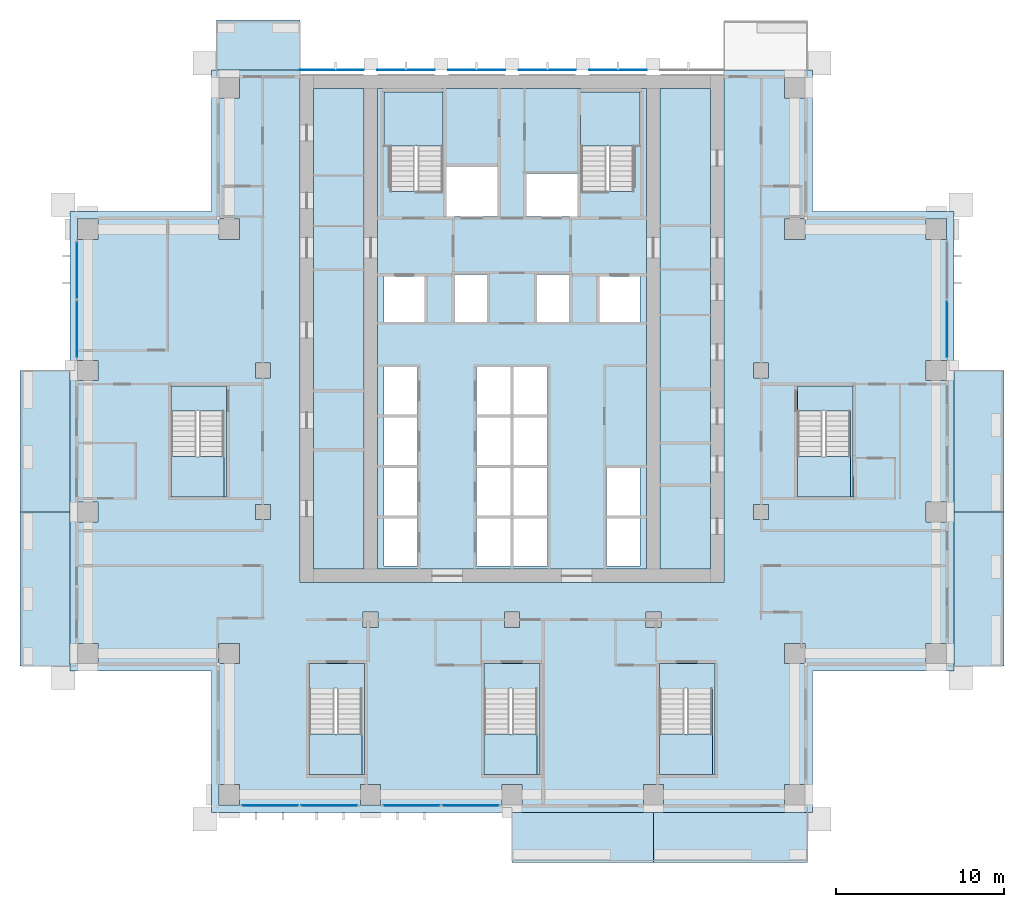
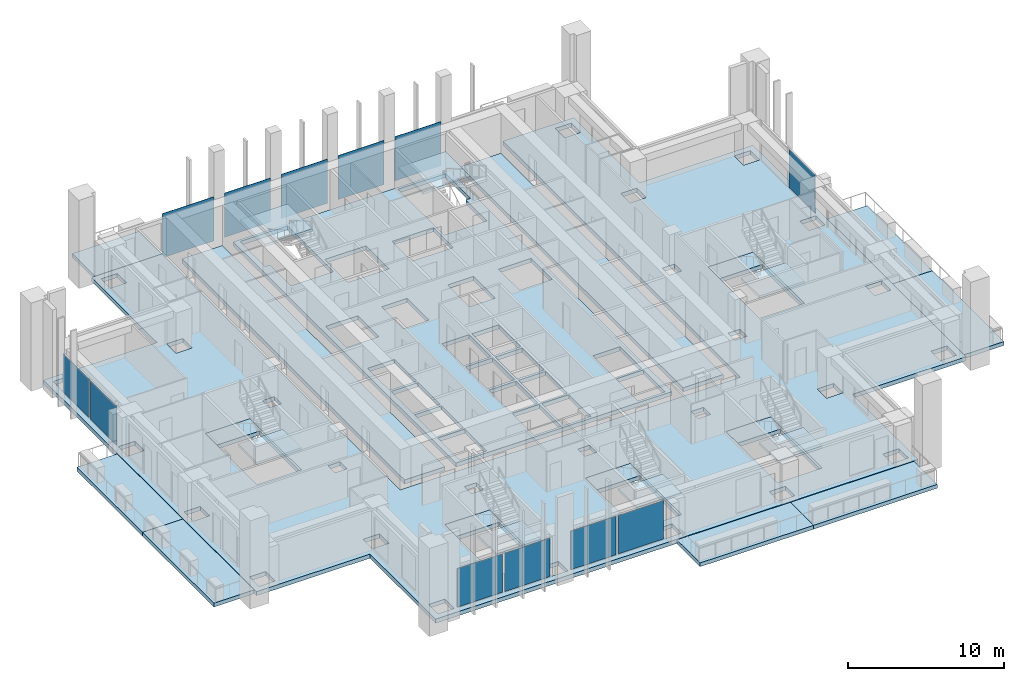
# One storey, part 7 of 19: 23 slabs, 12 plates, 11 elements without a shape of their own.
"""IFC4 building model written with IfcOpenShell, lengths in metres."""

from ifc_helpers import new_model, si_unit, direction, frame, origin, origin_2d, place, context, subcontext, project, spatial, polyline, rectangle, outline, extrude, material, layer, layer_set, type_object, element, aggregate, save


model = new_model("IFC4")

# Units and contexts
model_context = context("Model", 3, precision=1e-05, world=origin(), true_north=direction((0.0, 1.0)))
body_context = subcontext(model_context, "Body", "Model", "MODEL_VIEW")
ifc_project = project(units=[si_unit("LENGTHUNIT", "METRE"), si_unit("AREAUNIT", "SQUARE_METRE"), si_unit("VOLUMEUNIT", "CUBIC_METRE"), si_unit("PLANEANGLEUNIT", "RADIAN"), si_unit("MASSUNIT", "GRAM", prefix="KILO")], contexts=[model_context])

# Site, building, storey
site_placement = place(None, origin())
site = spatial("IfcSite", under=ifc_project, at=site_placement, CompositionType="ELEMENT")
building_placement = place(site_placement, origin())
building = spatial("IfcBuilding", under=site, at=building_placement, Name="Vermilion Ogive Tower", CompositionType="ELEMENT")
storey_placement = place(building_placement, frame((0.0, 0.0, 104.550048828125)))
storey = spatial("IfcBuildingStorey", under=building, at=storey_placement, Name="L26", CompositionType="ELEMENT", Elevation=104.550048828125)

# Slabs
ifc_material_1 = material(Name="Concrete B40", Category="concrete")
ifc_layer_1 = layer(ifc_material_1, 0.300048828125)
ifc_layer_set_1 = layer_set([ifc_layer_1], Name="Balcony slab")
slab_type_1 = type_object("IfcSlabType", Name="Balcony slab", PredefinedType="FLOOR", material=ifc_layer_set_1)
slab_1_placement = place(storey_placement, frame((0.0, 0.0, -0.340087890625)))
element("IfcSlab", 1, at=slab_1_placement, inside=storey, type_object=slab_type_1, Name="Balcony slab S03", PredefinedType="FLOOR", context=body_context, shape_type="SweptSolid", body=[
    extrude(outline(polyline([(0.0, -25.030029296875), (8.39990234375, -25.030029296875), (8.39990234375, -22.050048828125), (0.0, -22.050048828125), (0.0, -25.030029296875)])), origin(), (0.0, 0.0, 1.0), 0.300048828125),
])
slab_2_placement = place(storey_placement, frame((0.0, 0.0, -0.340087890625)))
element("IfcSlab", 2, at=slab_2_placement, inside=storey, type_object=slab_type_1, Name="Balcony slab S04", PredefinedType="FLOOR", context=body_context, shape_type="SweptSolid", body=[
    extrude(outline(polyline([(8.39990234375, -25.030029296875), (17.550048828125, -25.030029296875), (17.550048828125, -22.050048828125), (8.39990234375, -22.050048828125), (8.39990234375, -25.030029296875)])), origin(), (0.0, 0.0, 1.0), 0.300048828125),
])
slab_3_placement = place(storey_placement, frame((0.0, 0.0, -0.340087890625)))
element("IfcSlab", 3, at=slab_3_placement, inside=storey, type_object=slab_type_1, Name="Balcony slab E01", PredefinedType="FLOOR", context=body_context, shape_type="SweptSolid", body=[
    extrude(outline(polyline([(29.22998046875, -13.35009765625), (29.22998046875, -4.199951171875), (26.25, -4.199951171875), (26.25, -13.35009765625), (29.22998046875, -13.35009765625)])), origin(), (0.0, 0.0, 1.0), 0.300048828125),
])
slab_4_placement = place(storey_placement, frame((0.0, 0.0, -0.340087890625)))
element("IfcSlab", 4, at=slab_4_placement, inside=storey, type_object=slab_type_1, Name="Balcony slab E02", PredefinedType="FLOOR", context=body_context, shape_type="SweptSolid", body=[
    extrude(outline(polyline([(29.22998046875, -4.199951171875), (29.22998046875, 4.199951171875), (26.25, 4.199951171875), (26.25, -4.199951171875), (29.22998046875, -4.199951171875)])), origin(), (0.0, 0.0, 1.0), 0.300048828125),
])
slab_5_placement = place(storey_placement, frame((0.0, 0.0, -0.340087890625)))
element("IfcSlab", 5, at=slab_5_placement, inside=storey, type_object=slab_type_1, Name="Balcony slab N201", PredefinedType="FLOOR", context=body_context, shape_type="SweptSolid", body=[
    extrude(outline(polyline([(-12.60009765625, 25.030029296875), (-17.550048828125, 25.030029296875), (-17.550048828125, 22.050048828125), (-12.60009765625, 22.050048828125), (-12.60009765625, 25.030029296875)])), origin(), (0.0, 0.0, 1.0), 0.300048828125),
])
slab_6_placement = place(storey_placement, frame((0.0, 0.0, -0.340087890625)))
element("IfcSlab", 6, at=slab_6_placement, inside=storey, type_object=slab_type_1, Name="Balcony slab W02", PredefinedType="FLOOR", context=body_context, shape_type="SweptSolid", body=[
    extrude(outline(polyline([(-29.22998046875, 4.199951171875), (-29.22998046875, -4.199951171875), (-26.25, -4.199951171875), (-26.25, 4.199951171875), (-29.22998046875, 4.199951171875)])), origin(), (0.0, 0.0, 1.0), 0.300048828125),
])
slab_7_placement = place(storey_placement, frame((0.0, 0.0, -0.340087890625)))
element("IfcSlab", 7, at=slab_7_placement, inside=storey, type_object=slab_type_1, Name="Balcony slab W03", PredefinedType="FLOOR", context=body_context, shape_type="SweptSolid", body=[
    extrude(outline(polyline([(-29.22998046875, -4.199951171875), (-29.22998046875, -13.35009765625), (-26.25, -13.35009765625), (-26.25, -4.199951171875), (-29.22998046875, -4.199951171875)])), origin(), (0.0, 0.0, 1.0), 0.300048828125),
])

# Curtain wall, plates
ifc_material_2 = material(Name="Low-iron laminated glazing in aluminium frame", Category="aluminium")
curtain_wall_type = type_object("IfcCurtainWallType", Name="Curtain wall CW7", PredefinedType="NOTDEFINED", material=ifc_material_2)
curtain_wall_1_placement = place(storey_placement, origin())
curtain_wall_1 = element("IfcCurtainWall", 8, at=curtain_wall_1_placement, inside=storey, type_object=curtain_wall_type, Name="Glazed skin S1", PredefinedType="NOTDEFINED")
ifc_material_3 = material(Name="Low-iron laminated glazing in aluminium frame", Category="aluminium")
ifc_layer_2 = layer(ifc_material_3, 0.031982421875)
ifc_layer_set_2 = layer_set([ifc_layer_2], Name="CW7 glazing panel 32")
plate_type_1 = type_object("IfcPlateType", Name="CW7 glazing panel 32", PredefinedType="CURTAIN_PANEL", material=ifc_layer_set_2)
plate_1_placement = place(storey_placement, frame((-14.35498046875, -21.64990234375, 0.06005859375), z_axis=(0.0, 0.0, 1.0), x_axis=(1.0, 0.0, 0.0)))
plate_1 = element("IfcPlate", 9, at=plate_1_placement, type_object=plate_type_1, Name="CW7-S1 panel 1.1", PredefinedType="CURTAIN_PANEL", context=body_context, shape_type="SweptSolid", body=[
    extrude(rectangle(XDim=3.330078125, YDim=0.031982421875, at=origin_2d()), origin(), (0.0, 0.0, 1.0), 3.010009765625),
])
plate_2_placement = place(storey_placement, frame((-10.844970703125, -21.64990234375, 0.06005859375), z_axis=(0.0, 0.0, 1.0), x_axis=(1.0, 0.0, 0.0)))
plate_2 = element("IfcPlate", 10, at=plate_2_placement, type_object=plate_type_1, Name="CW7-S1 panel 2.1", PredefinedType="CURTAIN_PANEL", context=body_context, shape_type="SweptSolid", body=[
    extrude(rectangle(XDim=3.330078125, YDim=0.031982421875, at=origin_2d()), origin(), (0.0, 0.0, 1.0), 3.010009765625),
])
aggregate(curtain_wall_1, [plate_1, plate_2])

curtain_wall_2_placement = place(storey_placement, origin())
curtain_wall_2 = element("IfcCurtainWall", 11, at=curtain_wall_2_placement, inside=storey, type_object=curtain_wall_type, Name="Glazed skin S2", PredefinedType="NOTDEFINED")
plate_3_placement = place(storey_placement, frame((-5.955078125, -21.64990234375, 0.06005859375), z_axis=(0.0, 0.0, 1.0), x_axis=(1.0, 0.0, 0.0)))
plate_3 = element("IfcPlate", 12, at=plate_3_placement, type_object=plate_type_1, Name="CW7-S2 panel 1.1", PredefinedType="CURTAIN_PANEL", context=body_context, shape_type="SweptSolid", body=[
    extrude(rectangle(XDim=3.330078125, YDim=0.031982421875, at=origin_2d()), origin(), (0.0, 0.0, 1.0), 3.010009765625),
])
plate_4_placement = place(storey_placement, frame((-2.445068359375, -21.64990234375, 0.06005859375), z_axis=(0.0, 0.0, 1.0), x_axis=(1.0, 0.0, 0.0)))
plate_4 = element("IfcPlate", 13, at=plate_4_placement, type_object=plate_type_1, Name="CW7-S2 panel 2.1", PredefinedType="CURTAIN_PANEL", context=body_context, shape_type="SweptSolid", body=[
    extrude(rectangle(XDim=3.330078125, YDim=0.031982421875, at=origin_2d()), origin(), (0.0, 0.0, 1.0), 3.010009765625),
])
aggregate(curtain_wall_2, [plate_3, plate_4])

# Curtain wall, plate
curtain_wall_3_placement = place(storey_placement, origin())
curtain_wall_3 = element("IfcCurtainWall", 14, at=curtain_wall_3_placement, inside=storey, type_object=curtain_wall_type, Name="Glazed skin E3", PredefinedType="NOTDEFINED")
plate_5_placement = place(storey_placement, frame((25.85009765625, 6.64501953125, 0.06005859375), z_axis=(0.0, 0.0, 1.0), x_axis=(0.0, 1.0, 0.0)))
plate_5 = element("IfcPlate", 15, at=plate_5_placement, type_object=plate_type_1, Name="CW7-E3 panel 1.1", PredefinedType="CURTAIN_PANEL", context=body_context, shape_type="SweptSolid", body=[
    extrude(rectangle(XDim=3.330078125, YDim=0.031982421875, at=origin_2d()), origin(), (0.0, 0.0, 1.0), 3.010009765625),
])
aggregate(curtain_wall_3, [plate_5])

# Curtain wall, plates
curtain_wall_4_placement = place(storey_placement, origin())
curtain_wall_4 = element("IfcCurtainWall", 16, at=curtain_wall_4_placement, inside=storey, type_object=curtain_wall_type, Name="Glazed skin W1", PredefinedType="NOTDEFINED")
plate_6_placement = place(storey_placement, frame((-25.85009765625, 10.155029296875, 0.06005859375), z_axis=(0.0, 0.0, 1.0), x_axis=(0.0, -1.0, 0.0)))
plate_6 = element("IfcPlate", 17, at=plate_6_placement, type_object=plate_type_1, Name="CW7-W1 panel 1.1", PredefinedType="CURTAIN_PANEL", context=body_context, shape_type="SweptSolid", body=[
    extrude(rectangle(XDim=3.330078125, YDim=0.031982421875, at=origin_2d()), origin(), (0.0, 0.0, 1.0), 3.010009765625),
])
plate_7_placement = place(storey_placement, frame((-25.85009765625, 6.64501953125, 0.06005859375), z_axis=(0.0, 0.0, 1.0), x_axis=(0.0, -1.0, 0.0)))
plate_7 = element("IfcPlate", 18, at=plate_7_placement, type_object=plate_type_1, Name="CW7-W1 panel 2.1", PredefinedType="CURTAIN_PANEL", context=body_context, shape_type="SweptSolid", body=[
    extrude(rectangle(XDim=3.330078125, YDim=0.031982421875, at=origin_2d()), origin(), (0.0, 0.0, 1.0), 3.010009765625),
])
aggregate(curtain_wall_4, [plate_6, plate_7])

# Slabs
ifc_material_4 = material(Name="Concrete B40", Category="concrete")
ifc_layer_3 = layer(ifc_material_4, 0.320068359375)
ifc_layer_set_3 = layer_set([ifc_layer_3], Name="Core floor slab 320 B40")
slab_type_2 = type_object("IfcSlabType", Name="Core floor slab 320 B40", PredefinedType="FLOOR", material=ifc_layer_set_3)
slab_8_placement = place(storey_placement, frame((0.0, 0.0, -0.320068359375)))
element("IfcSlab", 19, at=slab_8_placement, inside=storey, type_object=slab_type_2, Name="L26-CK-FS1", PredefinedType="FLOOR", context=body_context, shape_type="SweptSolid", body=[
    extrude(outline(polyline([(-8.803955078125, 20.946044921875), (-8.803955078125, -7.595947265625), (-11.7958984375, -7.595947265625), (-11.7958984375, 20.946044921875), (-8.803955078125, 20.946044921875)])), origin(), (0.0, 0.0, 1.0), 0.320068359375),
])
slab_9_placement = place(storey_placement, frame((0.0, 0.0, -0.320068359375)))
element("IfcSlab", 20, at=slab_9_placement, inside=storey, type_object=slab_type_2, Name="L26-CK-FS2", PredefinedType="FLOOR", context=body_context, shape_type="SweptSolid", body=[
    extrude(outline(polyline([(-7.99609375, 20.946044921875), (-7.99609375, -7.595947265625), (7.99609375, -7.595947265625), (7.99609375, 20.946044921875), (-7.99609375, 20.946044921875)]), holes=[polyline([(-7.60009765625, -4.60009765625), (-5.60009765625, -4.60009765625), (-5.60009765625, -7.39990234375), (-7.60009765625, -7.39990234375), (-7.60009765625, -4.60009765625)]), polyline([(-2.10009765625, -4.60009765625), (-0.10009765625, -4.60009765625), (-0.10009765625, -7.39990234375), (-2.10009765625, -7.39990234375), (-2.10009765625, -4.60009765625)]), polyline([(-7.60009765625, -4.39990234375), (-7.60009765625, -1.60009765625), (-5.60009765625, -1.60009765625), (-5.60009765625, -4.39990234375), (-7.60009765625, -4.39990234375)]), polyline([(-2.10009765625, -1.60009765625), (-0.10009765625, -1.60009765625), (-0.10009765625, -4.39990234375), (-2.10009765625, -4.39990234375), (-2.10009765625, -1.60009765625)]), polyline([(-7.60009765625, -1.39990234375), (-7.60009765625, 1.39990234375), (-5.60009765625, 1.39990234375), (-5.60009765625, -1.39990234375), (-7.60009765625, -1.39990234375)]), polyline([(-2.10009765625, 1.39990234375), (-0.10009765625, 1.39990234375), (-0.10009765625, -1.39990234375), (-2.10009765625, -1.39990234375), (-2.10009765625, 1.39990234375)]), polyline([(-7.60009765625, 4.39990234375), (-5.60009765625, 4.39990234375), (-5.60009765625, 1.60009765625), (-7.60009765625, 1.60009765625), (-7.60009765625, 4.39990234375)]), polyline([(-2.10009765625, 4.39990234375), (-0.10009765625, 4.39990234375), (-0.10009765625, 1.60009765625), (-2.10009765625, 1.60009765625), (-2.10009765625, 4.39990234375)]), polyline([(-7.60009765625, 9.800048828125), (-5.199951171875, 9.800048828125), (-5.199951171875, 7.10009765625), (-7.60009765625, 7.10009765625), (-7.60009765625, 9.800048828125)]), polyline([(-3.39990234375, 9.89990234375), (-1.5, 9.89990234375), (-1.5, 7.10009765625), (-3.39990234375, 7.10009765625), (-3.39990234375, 9.89990234375)]), polyline([(-3.89990234375, 16.300048828125), (-0.85009765625, 16.300048828125), (-0.85009765625, 13.35009765625), (-3.89990234375, 13.35009765625), (-3.89990234375, 16.300048828125)]), polyline([(-7.60009765625, 17.550048828125), (-7.60009765625, 20.75), (-4.10009765625, 20.75), (-4.10009765625, 14.85205078125), (-5.60009765625, 14.85205078125), (-5.60009765625, 14.85009765625), (-5.75, 14.85009765625), (-5.75, 14.85205078125), (-7.25, 14.85205078125), (-7.25, 17.550048828125), (-7.60009765625, 17.550048828125)]), polyline([(0.10009765625, -4.60009765625), (2.10009765625, -4.60009765625), (2.10009765625, -7.39990234375), (0.10009765625, -7.39990234375), (0.10009765625, -4.60009765625)]), polyline([(5.60009765625, -4.60009765625), (7.60009765625, -4.60009765625), (7.60009765625, -7.39990234375), (5.60009765625, -7.39990234375), (5.60009765625, -4.60009765625)]), polyline([(0.10009765625, -1.60009765625), (2.10009765625, -1.60009765625), (2.10009765625, -4.39990234375), (0.10009765625, -4.39990234375), (0.10009765625, -1.60009765625)]), polyline([(5.60009765625, -1.60009765625), (7.60009765625, -1.60009765625), (7.60009765625, -4.39990234375), (5.60009765625, -4.39990234375), (5.60009765625, -1.60009765625)]), polyline([(0.10009765625, 1.39990234375), (2.10009765625, 1.39990234375), (2.10009765625, -1.39990234375), (0.10009765625, -1.39990234375), (0.10009765625, 1.39990234375)]), polyline([(0.10009765625, 4.39990234375), (2.10009765625, 4.39990234375), (2.10009765625, 1.60009765625), (0.10009765625, 1.60009765625), (0.10009765625, 4.39990234375)]), polyline([(5.199951171875, 9.800048828125), (7.60009765625, 9.800048828125), (7.60009765625, 7.10009765625), (5.199951171875, 7.10009765625), (5.199951171875, 9.800048828125)]), polyline([(1.5, 9.89990234375), (3.39990234375, 9.89990234375), (3.39990234375, 7.10009765625), (1.5, 7.10009765625), (1.5, 9.89990234375)]), polyline([(0.85009765625, 15.89990234375), (3.89990234375, 15.89990234375), (3.89990234375, 13.35009765625), (0.85009765625, 13.35009765625), (0.85009765625, 15.89990234375)]), polyline([(5.75, 14.85009765625), (5.60009765625, 14.85009765625), (5.60009765625, 14.85205078125), (4.10009765625, 14.85205078125), (4.10009765625, 17.550048828125), (4.074951171875, 17.550048828125), (4.074951171875, 20.75), (7.60009765625, 20.75), (7.60009765625, 17.550048828125), (7.25, 17.550048828125), (7.25, 14.85205078125), (5.75, 14.85205078125), (5.75, 14.85009765625)])]), origin(), (0.0, 0.0, 1.0), 0.320068359375),
])
slab_10_placement = place(storey_placement, frame((0.0, 0.0, -0.320068359375)))
element("IfcSlab", 21, at=slab_10_placement, inside=storey, type_object=slab_type_2, Name="L26-CK-FS3", PredefinedType="FLOOR", context=body_context, shape_type="SweptSolid", body=[
    extrude(outline(polyline([(11.7958984375, -7.595947265625), (8.803955078125, -7.595947265625), (8.803955078125, 20.946044921875), (11.7958984375, 20.946044921875), (11.7958984375, -7.595947265625)])), origin(), (0.0, 0.0, 1.0), 0.320068359375),
])
slab_11_placement = place(storey_placement, frame((0.0, 0.0, -0.320068359375)))
element("IfcSlab", 22, at=slab_11_placement, inside=storey, type_object=slab_type_2, Name="L26-SF-ST3-1", PredefinedType="FLOOR", context=body_context, shape_type="SweptSolid", body=[
    extrude(outline(polyline([(-12.050048828125, -13.199951171875), (-12.050048828125, -14.701904296875), (-10.550048828125, -14.701904296875), (-10.550048828125, -14.699951171875), (-10.39990234375, -14.699951171875), (-10.39990234375, -14.701904296875), (-8.89990234375, -14.701904296875), (-8.89990234375, -19.800048828125), (-8.75, -19.800048828125), (-8.75, -13.199951171875), (-12.050048828125, -13.199951171875)])), origin(), (0.0, 0.0, 1.0), 0.320068359375),
])
slab_12_placement = place(storey_placement, frame((0.0, 0.0, -0.320068359375)))
element("IfcSlab", 23, at=slab_12_placement, inside=storey, type_object=slab_type_2, Name="L26-SF-ST4-1", PredefinedType="FLOOR", context=body_context, shape_type="SweptSolid", body=[
    extrude(outline(polyline([(-1.64990234375, -13.199951171875), (-1.64990234375, -14.701904296875), (-0.14990234375, -14.701904296875), (-0.14990234375, -14.699951171875), (0.0, -14.699951171875), (0.0, -14.701904296875), (1.5, -14.701904296875), (1.5, -19.800048828125), (1.64990234375, -19.800048828125), (1.64990234375, -13.199951171875), (-1.64990234375, -13.199951171875)])), origin(), (0.0, 0.0, 1.0), 0.320068359375),
])
slab_13_placement = place(storey_placement, frame((0.0, 0.0, -0.320068359375)))
element("IfcSlab", 24, at=slab_13_placement, inside=storey, type_object=slab_type_2, Name="L26-SF-ST5-1", PredefinedType="FLOOR", context=body_context, shape_type="SweptSolid", body=[
    extrude(outline(polyline([(8.75, -13.199951171875), (8.75, -14.701904296875), (10.25, -14.701904296875), (10.25, -14.699951171875), (10.39990234375, -14.699951171875), (10.39990234375, -14.701904296875), (11.89990234375, -14.701904296875), (11.89990234375, -19.800048828125), (12.050048828125, -19.800048828125), (12.050048828125, -13.199951171875), (8.75, -13.199951171875)])), origin(), (0.0, 0.0, 1.0), 0.320068359375),
])
slab_14_placement = place(storey_placement, frame((0.0, 0.0, -0.320068359375)))
element("IfcSlab", 25, at=slab_14_placement, inside=storey, type_object=slab_type_2, Name="L26-SF-ST8-1", PredefinedType="FLOOR", context=body_context, shape_type="SweptSolid", body=[
    extrude(outline(polyline([(16.949951171875, 3.300048828125), (16.949951171875, 1.798095703125), (18.449951171875, 1.798095703125), (18.449951171875, 1.800048828125), (18.60009765625, 1.800048828125), (18.60009765625, 1.798095703125), (20.10009765625, 1.798095703125), (20.10009765625, -3.300048828125), (20.25, -3.300048828125), (20.25, 3.300048828125), (16.949951171875, 3.300048828125)])), origin(), (0.0, 0.0, 1.0), 0.320068359375),
])
slab_15_placement = place(storey_placement, frame((0.0, 0.0, -0.320068359375)))
element("IfcSlab", 26, at=slab_15_placement, inside=storey, type_object=slab_type_2, Name="L26-SF-ST9-1", PredefinedType="FLOOR", context=body_context, shape_type="SweptSolid", body=[
    extrude(outline(polyline([(-20.25, 3.300048828125), (-20.25, 1.798095703125), (-18.75, 1.798095703125), (-18.75, 1.800048828125), (-18.60009765625, 1.800048828125), (-18.60009765625, 1.798095703125), (-17.10009765625, 1.798095703125), (-17.10009765625, -3.300048828125), (-16.949951171875, -3.300048828125), (-16.949951171875, 3.300048828125), (-20.25, 3.300048828125)])), origin(), (0.0, 0.0, 1.0), 0.320068359375),
])

# Plates
ifc_material_5 = material(Name="Low-iron laminated glazing in aluminium frame", Category="aluminium")
ifc_layer_4 = layer(ifc_material_5, 0.031982421875)
ifc_layer_set_4 = layer_set([ifc_layer_4], Name="Glazed rainscreen sheet 32")
plate_type_2 = type_object("IfcPlateType", Name="Glazed rainscreen sheet 32", PredefinedType="SHEET", material=ifc_layer_set_4)
plate_8_placement = place(storey_placement, frame((-10.7099609375, 22.06591796875, -0.31982421875), z_axis=(0.0, 0.0, 1.0), x_axis=(1.0, 0.0, 0.0)))
element("IfcPlate", 27, at=plate_8_placement, inside=storey, type_object=plate_type_2, Name="Glazed rainscreen sheet N1", PredefinedType="SHEET", context=body_context, shape_type="SweptSolid", body=[
    extrude(rectangle(XDim=3.820068359375, YDim=0.031982421875, at=origin_2d()), origin(), (0.0, 0.0, 1.0), 3.449951171875),
])
for number, where, z_axis, x_axis, name in (
    (28, (-6.300048828125, 22.06591796875, -0.31982421875), (0.0, 0.0, 1.0), (1.0, 0.0, 0.0), "Glazed rainscreen sheet N2"),
    (29, (-2.10009765625, 22.06591796875, -0.31982421875), (0.0, 0.0, 1.0), (1.0, 0.0, 0.0), "Glazed rainscreen sheet N3"),
    (30, (2.10009765625, 22.06591796875, -0.31982421875), (0.0, 0.0, 1.0), (1.0, 0.0, 0.0), "Glazed rainscreen sheet N4"),
    (31, (6.300048828125, 22.06591796875, -0.31982421875), (0.0, 0.0, 1.0), (1.0, 0.0, 0.0), "Glazed rainscreen sheet N5"),
):
    element("IfcPlate", number, at=place(storey_placement, frame(where, z_axis=z_axis, x_axis=x_axis)), inside=storey, type_object=plate_type_2, Name=name, PredefinedType="SHEET", context=body_context, shape_type="SweptSolid", body=[
        extrude(rectangle(XDim=3.39990234375, YDim=0.031982421875, at=origin_2d()), origin(), (0.0, 0.0, 1.0), 3.449951171875),
    ])

# Slab
ifc_material_6 = material(Name="Concrete B45", Category="concrete")
ifc_layer_5 = layer(ifc_material_6, 0.320068359375)
ifc_layer_set_5 = layer_set([ifc_layer_5], Name="Post-tensioned flat plate 320 B45")
slab_type_3 = type_object("IfcSlabType", Name="Post-tensioned flat plate 320 B45", PredefinedType="FLOOR", material=ifc_layer_set_5)
slab_16_placement = place(storey_placement, frame((0.0, 0.0, -0.320068359375)))
element("IfcSlab", 32, at=slab_16_placement, inside=storey, type_object=slab_type_3, Name="L26-SL-1", PredefinedType="FLOOR", context=body_context, shape_type="SweptSolid", body=[
    extrude(outline(polyline([(-26.25, -13.64990234375), (-17.85009765625, -13.64990234375), (-17.85009765625, -22.050048828125), (17.85009765625, -22.050048828125), (17.85009765625, -13.64990234375), (26.25, -13.64990234375), (26.25, 13.64990234375), (17.85009765625, 13.64990234375), (17.85009765625, 22.050048828125), (12.60009765625, 22.050048828125), (12.60009765625, -8.39990234375), (-12.60009765625, -8.39990234375), (-12.60009765625, 22.050048828125), (-17.85009765625, 22.050048828125), (-17.85009765625, 13.64990234375), (-26.25, 13.64990234375), (-26.25, -13.64990234375)]), holes=[polyline([(25.800048828125, -3.60009765625), (25.800048828125, -4.800048828125), (24.60009765625, -4.800048828125), (24.60009765625, -3.60009765625), (25.800048828125, -3.60009765625)]), polyline([(25.800048828125, -12.0), (25.800048828125, -13.199951171875), (24.60009765625, -13.199951171875), (24.60009765625, -12.0), (25.800048828125, -12.0)]), polyline([(25.800048828125, 12.0), (24.60009765625, 12.0), (24.60009765625, 13.199951171875), (25.800048828125, 13.199951171875), (25.800048828125, 12.0)]), polyline([(25.800048828125, 3.60009765625), (24.60009765625, 3.60009765625), (24.60009765625, 4.800048828125), (25.800048828125, 4.800048828125), (25.800048828125, 3.60009765625)]), polyline([(20.25, -3.2998046875), (20.25, -3.300048828125), (16.949951171875, -3.300048828125), (16.949951171875, 3.300048828125), (20.25, 3.300048828125), (20.25, -0.89990234375), (20.275146484375, -0.89990234375), (20.275146484375, -3.2998046875), (20.25, -3.2998046875)]), polyline([(17.39990234375, -12.0), (17.39990234375, -13.199951171875), (16.199951171875, -13.199951171875), (16.199951171875, -12.0), (17.39990234375, -12.0)]), polyline([(17.39990234375, 20.39990234375), (16.199951171875, 20.39990234375), (16.199951171875, 21.60009765625), (17.39990234375, 21.60009765625), (17.39990234375, 20.39990234375)]), polyline([(17.39990234375, -20.39990234375), (17.39990234375, -21.60009765625), (16.199951171875, -21.60009765625), (16.199951171875, -20.39990234375), (17.39990234375, -20.39990234375)]), polyline([(17.39990234375, 13.199951171875), (17.39990234375, 12.0), (16.199951171875, 12.0), (16.199951171875, 13.199951171875), (17.39990234375, 13.199951171875)]), polyline([(15.25, 4.64990234375), (15.25, 3.75), (14.35009765625, 3.75), (14.35009765625, 4.64990234375), (15.25, 4.64990234375)]), polyline([(15.25, -4.64990234375), (14.35009765625, -4.64990234375), (14.35009765625, -3.75), (15.25, -3.75), (15.25, -4.64990234375)]), polyline([(12.050048828125, -13.199951171875), (12.050048828125, -19.800048828125), (8.75, -19.800048828125), (8.75, -13.199951171875), (12.050048828125, -13.199951171875)]), polyline([(9.0, -20.39990234375), (9.0, -21.60009765625), (7.800048828125, -21.60009765625), (7.800048828125, -20.39990234375), (9.0, -20.39990234375)]), polyline([(8.85009765625, -11.050048828125), (7.949951171875, -11.050048828125), (7.949951171875, -10.14990234375), (8.85009765625, -10.14990234375), (8.85009765625, -11.050048828125)]), polyline([(1.64990234375, -13.199951171875), (1.64990234375, -19.800048828125), (-1.64990234375, -19.800048828125), (-1.64990234375, -13.199951171875), (1.64990234375, -13.199951171875)]), polyline([(0.60009765625, -20.39990234375), (0.60009765625, -21.60009765625), (-0.60009765625, -21.60009765625), (-0.60009765625, -20.39990234375), (0.60009765625, -20.39990234375)]), polyline([(0.449951171875, -10.14990234375), (0.449951171875, -11.050048828125), (-0.449951171875, -11.050048828125), (-0.449951171875, -10.14990234375), (0.449951171875, -10.14990234375)]), polyline([(-7.800048828125, -20.39990234375), (-7.800048828125, -21.60009765625), (-9.0, -21.60009765625), (-9.0, -20.39990234375), (-7.800048828125, -20.39990234375)]), polyline([(-7.949951171875, -10.14990234375), (-7.949951171875, -11.050048828125), (-8.85009765625, -11.050048828125), (-8.85009765625, -10.14990234375), (-7.949951171875, -10.14990234375)]), polyline([(-8.75, -13.199951171875), (-8.75, -19.800048828125), (-12.050048828125, -19.800048828125), (-12.050048828125, -13.199951171875), (-8.75, -13.199951171875)]), polyline([(-14.35009765625, 4.64990234375), (-14.35009765625, 3.75), (-15.25, 3.75), (-15.25, 4.64990234375), (-14.35009765625, 4.64990234375)]), polyline([(-14.35009765625, -4.64990234375), (-15.25, -4.64990234375), (-15.25, -3.75), (-14.35009765625, -3.75), (-14.35009765625, -4.64990234375)]), polyline([(-16.199951171875, 13.199951171875), (-16.199951171875, 12.0), (-17.39990234375, 12.0), (-17.39990234375, 13.199951171875), (-16.199951171875, 13.199951171875)]), polyline([(-16.199951171875, -12.0), (-16.199951171875, -13.199951171875), (-17.39990234375, -13.199951171875), (-17.39990234375, -12.0), (-16.199951171875, -12.0)]), polyline([(-16.199951171875, -20.39990234375), (-16.199951171875, -21.60009765625), (-17.39990234375, -21.60009765625), (-17.39990234375, -20.39990234375), (-16.199951171875, -20.39990234375)]), polyline([(-16.199951171875, 20.39990234375), (-17.39990234375, 20.39990234375), (-17.39990234375, 21.60009765625), (-16.199951171875, 21.60009765625), (-16.199951171875, 20.39990234375)]), polyline([(-16.949951171875, 3.300048828125), (-16.949951171875, -3.300048828125), (-20.25, -3.300048828125), (-20.25, 3.300048828125), (-16.949951171875, 3.300048828125)]), polyline([(-24.60009765625, 3.60009765625), (-25.800048828125, 3.60009765625), (-25.800048828125, 4.800048828125), (-24.60009765625, 4.800048828125), (-24.60009765625, 3.60009765625)]), polyline([(-24.60009765625, 13.199951171875), (-24.60009765625, 12.0), (-25.800048828125, 12.0), (-25.800048828125, 13.199951171875), (-24.60009765625, 13.199951171875)]), polyline([(-24.60009765625, -3.60009765625), (-24.60009765625, -4.800048828125), (-25.800048828125, -4.800048828125), (-25.800048828125, -3.60009765625), (-24.60009765625, -3.60009765625)]), polyline([(-24.60009765625, -12.0), (-24.60009765625, -13.199951171875), (-25.800048828125, -13.199951171875), (-25.800048828125, -12.0), (-24.60009765625, -12.0)])]), origin(), (0.0, 0.0, 1.0), 0.320068359375),
])

# Stair, slab
ifc_material_7 = material(Name="Concrete B40", Category="concrete")
stair_type = type_object("IfcStairType", Name="Exit stair 1500", PredefinedType="HALF_TURN_STAIR", material=ifc_material_7)
stair_1_placement = place(storey_placement, origin())
stair_1 = element("IfcStair", 33, at=stair_1_placement, inside=storey, type_object=stair_type, Name="L26 Exit Stair ST1", PredefinedType="HALF_TURN_STAIR")
ifc_material_8 = material(Name="Concrete B40", Category="concrete")
ifc_layer_6 = layer(ifc_material_8, 0.199951171875)
ifc_layer_set_6 = layer_set([ifc_layer_6], Name="Stair landing 200")
slab_type_4 = type_object("IfcSlabType", Name="Stair landing 200", PredefinedType="LANDING", material=ifc_layer_set_6)
slab_17_placement = place(storey_placement, frame((0.0, 0.0, 1.52490234375)))
slab_17 = element("IfcSlab", 34, at=slab_17_placement, type_object=slab_type_4, Name="ST1 landing 1", PredefinedType="LANDING", context=body_context, shape_type="SweptSolid", body=[
    extrude(outline(polyline([(-7.60009765625, 17.550048828125), (-7.25, 17.550048828125), (-7.25, 17.548095703125), (-5.75, 17.548095703125), (-5.75, 17.550048828125), (-5.60009765625, 17.550048828125), (-5.60009765625, 17.548095703125), (-4.10009765625, 17.548095703125), (-4.10009765625, 20.75), (-7.60009765625, 20.75), (-7.60009765625, 17.550048828125)])), origin(), (0.0, 0.0, 1.0), 0.199951171875),
])
aggregate(stair_1, [slab_17])

stair_2_placement = place(storey_placement, origin())
stair_2 = element("IfcStair", 35, at=stair_2_placement, inside=storey, type_object=stair_type, Name="L26 Exit Stair ST2", PredefinedType="HALF_TURN_STAIR")
slab_18_placement = place(storey_placement, frame((0.0, 0.0, 1.52490234375)))
slab_18 = element("IfcSlab", 36, at=slab_18_placement, type_object=slab_type_4, Name="ST2 landing 1", PredefinedType="LANDING", context=body_context, shape_type="SweptSolid", body=[
    extrude(outline(polyline([(5.60009765625, 17.550048828125), (5.75, 17.550048828125), (5.75, 17.548095703125), (7.25, 17.548095703125), (7.25, 17.550048828125), (7.60009765625, 17.550048828125), (7.60009765625, 20.75), (4.074951171875, 20.75), (4.074951171875, 17.550048828125), (4.10009765625, 17.550048828125), (4.10009765625, 17.548095703125), (5.60009765625, 17.548095703125), (5.60009765625, 17.550048828125)])), origin(), (0.0, 0.0, 1.0), 0.199951171875),
])
aggregate(stair_2, [slab_18])

stair_3_placement = place(storey_placement, origin())
stair_3 = element("IfcStair", 37, at=stair_3_placement, inside=storey, type_object=stair_type, Name="L26 Exit Stair ST3", PredefinedType="HALF_TURN_STAIR")
slab_19_placement = place(storey_placement, frame((0.0, 0.0, 1.52490234375)))
slab_19 = element("IfcSlab", 38, at=slab_19_placement, type_object=slab_type_4, Name="ST3 landing 1", PredefinedType="LANDING", context=body_context, shape_type="SweptSolid", body=[
    extrude(outline(polyline([(-8.75, -17.39990234375), (-8.89990234375, -17.39990234375), (-8.89990234375, -17.39794921875), (-10.39990234375, -17.39794921875), (-10.39990234375, -17.39990234375), (-10.550048828125, -17.39990234375), (-10.550048828125, -17.39794921875), (-12.050048828125, -17.39794921875), (-12.050048828125, -19.800048828125), (-8.75, -19.800048828125), (-8.75, -17.39990234375)])), origin(), (0.0, 0.0, 1.0), 0.199951171875),
])
aggregate(stair_3, [slab_19])

stair_4_placement = place(storey_placement, origin())
stair_4 = element("IfcStair", 39, at=stair_4_placement, inside=storey, type_object=stair_type, Name="L26 Exit Stair ST4", PredefinedType="HALF_TURN_STAIR")
slab_20_placement = place(storey_placement, frame((0.0, 0.0, 1.52490234375)))
slab_20 = element("IfcSlab", 40, at=slab_20_placement, type_object=slab_type_4, Name="ST4 landing 1", PredefinedType="LANDING", context=body_context, shape_type="SweptSolid", body=[
    extrude(outline(polyline([(1.64990234375, -17.39990234375), (1.5, -17.39990234375), (1.5, -17.39794921875), (0.0, -17.39794921875), (0.0, -17.39990234375), (-0.14990234375, -17.39990234375), (-0.14990234375, -17.39794921875), (-1.64990234375, -17.39794921875), (-1.64990234375, -19.7998046875), (1.64990234375, -19.7998046875), (1.64990234375, -17.39990234375)])), origin(), (0.0, 0.0, 1.0), 0.199951171875),
])
aggregate(stair_4, [slab_20])

stair_5_placement = place(storey_placement, origin())
stair_5 = element("IfcStair", 41, at=stair_5_placement, inside=storey, type_object=stair_type, Name="L26 Exit Stair ST5", PredefinedType="HALF_TURN_STAIR")
slab_21_placement = place(storey_placement, frame((0.0, 0.0, 1.52490234375)))
slab_21 = element("IfcSlab", 42, at=slab_21_placement, type_object=slab_type_4, Name="ST5 landing 1", PredefinedType="LANDING", context=body_context, shape_type="SweptSolid", body=[
    extrude(outline(polyline([(12.050048828125, -17.39990234375), (11.89990234375, -17.39990234375), (11.89990234375, -17.39794921875), (10.39990234375, -17.39794921875), (10.39990234375, -17.39990234375), (10.25, -17.39990234375), (10.25, -17.39794921875), (8.75, -17.39794921875), (8.75, -19.800048828125), (12.050048828125, -19.800048828125), (12.050048828125, -17.39990234375)])), origin(), (0.0, 0.0, 1.0), 0.199951171875),
])
aggregate(stair_5, [slab_21])

stair_6_placement = place(storey_placement, origin())
stair_6 = element("IfcStair", 43, at=stair_6_placement, inside=storey, type_object=stair_type, Name="L26 Exit Stair ST8", PredefinedType="HALF_TURN_STAIR")
slab_22_placement = place(storey_placement, frame((0.0, 0.0, 1.52490234375)))
slab_22 = element("IfcSlab", 44, at=slab_22_placement, type_object=slab_type_4, Name="ST8 landing 1", PredefinedType="LANDING", context=body_context, shape_type="SweptSolid", body=[
    extrude(outline(polyline([(20.275146484375, -0.89990234375), (20.10009765625, -0.89990234375), (20.10009765625, -0.89794921875), (18.60009765625, -0.89794921875), (18.60009765625, -0.89990234375), (18.449951171875, -0.89990234375), (18.449951171875, -0.89794921875), (16.949951171875, -0.89794921875), (16.949951171875, -0.902099609375), (16.9501953125, -0.902099609375), (16.9501953125, -3.2998046875), (20.275146484375, -3.2998046875), (20.275146484375, -0.89990234375)])), origin(), (0.0, 0.0, 1.0), 0.199951171875),
])
aggregate(stair_6, [slab_22])

stair_7_placement = place(storey_placement, origin())
stair_7 = element("IfcStair", 45, at=stair_7_placement, inside=storey, type_object=stair_type, Name="L26 Exit Stair ST9", PredefinedType="HALF_TURN_STAIR")
slab_23_placement = place(storey_placement, frame((0.0, 0.0, 1.52490234375)))
slab_23 = element("IfcSlab", 46, at=slab_23_placement, type_object=slab_type_4, Name="ST9 landing 1", PredefinedType="LANDING", context=body_context, shape_type="SweptSolid", body=[
    extrude(outline(polyline([(-16.9501953125, -0.89990234375), (-17.10009765625, -0.89990234375), (-17.10009765625, -0.89794921875), (-18.60009765625, -0.89794921875), (-18.60009765625, -0.89990234375), (-18.75, -0.89990234375), (-18.75, -0.89794921875), (-20.25, -0.89794921875), (-20.25, -0.89990234375), (-20.25, -0.89990234375), (-20.25, -3.2998046875), (-16.9501953125, -3.2998046875), (-16.9501953125, -0.89990234375)])), origin(), (0.0, 0.0, 1.0), 0.199951171875),
])
aggregate(stair_7, [slab_23])

save(model, "model.ifc")
